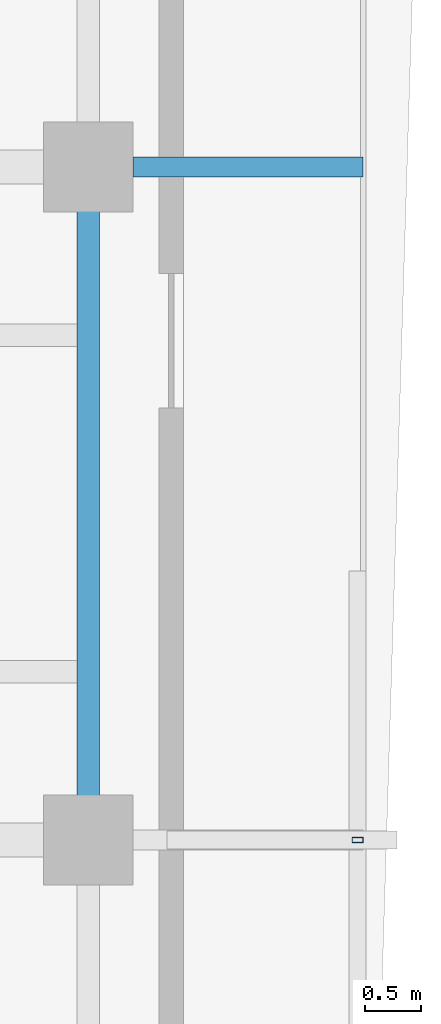
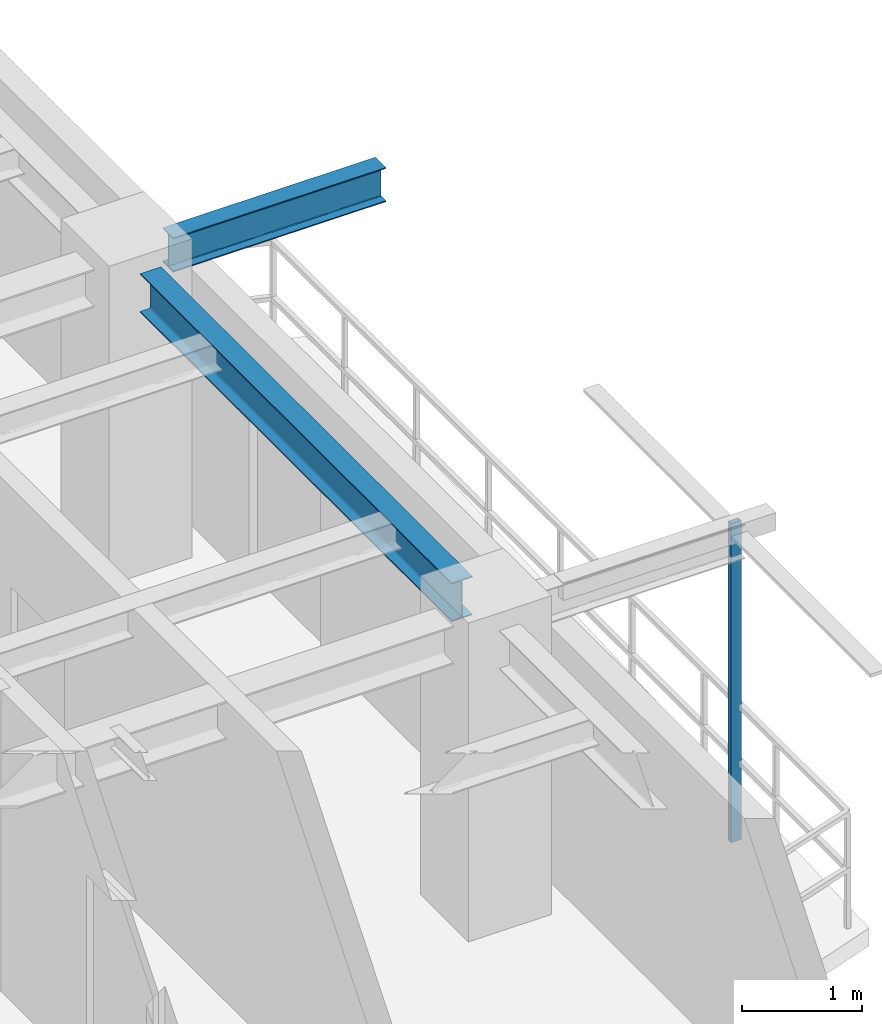
# One storey, part 7 of 16: 2 beams, 1 member.
"""IFC4 building model written with IfcOpenShell, lengths in metres."""

from ifc_helpers import new_model, si_unit, direction, frame, origin, origin_2d, place, context, subcontext, project, spatial, hollow_rectangle, i_section, extrude, source, transform, mapped, material, material_profile, profile_set, type_object, element, save


model = new_model("IFC4")

# Units and contexts
model_context = context("Model", 3, precision=1e-05, world=origin(), true_north=direction((0.0, 1.0)))
body_context = subcontext(model_context, "Body", "Model", "MODEL_VIEW")
ifc_project = project(units=[si_unit("LENGTHUNIT", "METRE"), si_unit("AREAUNIT", "SQUARE_METRE"), si_unit("VOLUMEUNIT", "CUBIC_METRE"), si_unit("PLANEANGLEUNIT", "RADIAN"), si_unit("MASSUNIT", "GRAM", prefix="KILO"), si_unit("THERMODYNAMICTEMPERATUREUNIT", "KELVIN"), si_unit("POWERUNIT", "WATT")], contexts=[model_context])

# Site, building, storey
site_placement = place(None, origin())
site = spatial("IfcSite", under=ifc_project, at=site_placement, CompositionType="ELEMENT")
building_placement = place(site_placement, origin())
building = spatial("IfcBuilding", under=site, at=building_placement, Name="Qiaomeng Ring Towers", CompositionType="ELEMENT")
storey_placement = place(building_placement, frame((0.0, 0.0, 223.0)))
storey = spatial("IfcBuildingStorey", under=building, at=storey_placement, Name="L65", CompositionType="ELEMENT", Elevation=223.0)

# Beams
ifc_material_1 = material(Name="Steel Q355B", Category="steel")
ifc_material_profile_1 = material_profile(ifc_material_1, i_section(OverallWidth=0.198974609375, OverallDepth=0.39599609375, WebThickness=0.007080078125, FlangeThickness=0.010986328125, FilletRadius=0.01611328125, at=origin_2d()), Name="HN 396x199x7x11")
ifc_profile_set_1 = profile_set([ifc_material_profile_1], Name="Steel Q355B")
beam_type_1 = type_object("IfcBeamType", Name="STR-BM-HN396", PredefinedType="SPANDREL", material=ifc_profile_set_1)
shared_shape_1 = source(origin(), body_context, "Body", "SweptSolid", [
    extrude(i_section(OverallWidth=0.198974609375, OverallDepth=0.39599609375, WebThickness=0.007080078125, FlangeThickness=0.010986328125, FilletRadius=0.01611328125, at=origin_2d()), origin(), (0.0, 0.0, 1.0), 5.2021484375),
])
beam_1_placement = place(storey_placement, frame((34.949951171875, 20.39892578125, 2.8720703125), z_axis=(0.0, 1.0, 0.0), x_axis=(-1.0, 0.0, 0.0)))
element("IfcBeam", 1, at=beam_1_placement, inside=storey, type_object=beam_type_1, Name="L65 beam STR-SP-L65-T1-E2-E3", PredefinedType="SPANDREL", context=body_context, shape_type="MappedRepresentation", body=[
    mapped(shared_shape_1, transform((0.0, 0.0, 0.0), x_axis=(1.0, 0.0, 0.0), y_axis=(0.0, 1.0, 0.0), z_axis=(0.0, 0.0, 1.0), scale=1.0)),
])
ifc_material_profile_2 = material_profile(ifc_material_1, i_section(OverallWidth=0.175048828125, OverallDepth=0.35009765625, WebThickness=0.007080078125, FlangeThickness=0.010986328125, FilletRadius=0.013916015625, at=origin_2d()), Name="HN 350x175x7x11")
ifc_profile_set_2 = profile_set([ifc_material_profile_2], Name="Steel Q355B")
beam_type_2 = type_object("IfcBeamType", Name="STR-BM-HN350", PredefinedType="JOIST", material=ifc_profile_set_2)
shared_shape_2 = source(origin(), body_context, "Body", "SweptSolid", [
    extrude(i_section(OverallWidth=0.175048828125, OverallDepth=0.35009765625, WebThickness=0.007080078125, FlangeThickness=0.010986328125, FilletRadius=0.013916015625, at=origin_2d()), origin(), (0.0, 0.0, 1.0), 2.05078125),
])
beam_2_placement = place(storey_placement, frame((35.34912109375, 26.0, 2.89501953125), z_axis=(1.0, 0.0, 0.0), x_axis=(0.0, 1.0, 0.0)))
element("IfcBeam", 2, at=beam_2_placement, inside=storey, type_object=beam_type_2, Name="L65 beam STR-BALBM-L65-E3", PredefinedType="JOIST", context=body_context, shape_type="MappedRepresentation", body=[
    mapped(shared_shape_2, transform((0.0, 0.0, 0.0), x_axis=(1.0, 0.0, 0.0), y_axis=(0.0, 1.0, 0.0), z_axis=(0.0, 0.0, 1.0), scale=1.0)),
])

# Member
ifc_material_2 = material(Name="Stainless steel 316", Category="steel")
ifc_material_profile_3 = material_profile(ifc_material_2, hollow_rectangle(XDim=0.050048828125, YDim=0.10009765625, WallThickness=0.00390625, at=origin_2d()), Name="SS TRELLIS 100x50")
ifc_profile_set_3 = profile_set([ifc_material_profile_3], Name="Stainless steel 316")
member_type = type_object("IfcMemberType", Name="ARC-TR-POST2", PredefinedType="STUD", material=ifc_profile_set_3)
shared_shape_3 = source(origin(), body_context, "Body", "SweptSolid", [
    extrude(hollow_rectangle(XDim=0.050048828125, YDim=0.10009765625, WallThickness=0.00390625, at=origin_2d()), origin(), (0.0, 0.0, 1.0), 3.25),
])
member_placement = place(storey_placement, frame((37.35009765625, 20.0, -0.179931640625), z_axis=(0.0, 0.0, 1.0), x_axis=(0.0, 1.0, 0.0)))
element("IfcMember", 3, at=member_placement, inside=storey, type_object=member_type, Name="L65 Outer Ventilated Trellis Post E", PredefinedType="STUD", context=body_context, shape_type="MappedRepresentation", body=[
    mapped(shared_shape_3, transform((0.0, 0.0, 0.0), x_axis=(1.0, 0.0, 0.0), y_axis=(0.0, 1.0, 0.0), z_axis=(0.0, 0.0, 1.0), scale=1.0)),
])

save(model, "model.ifc")
